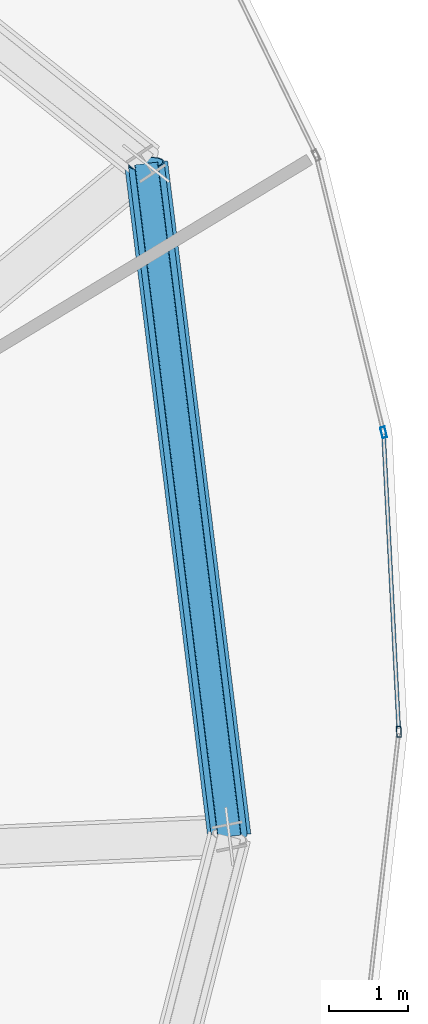
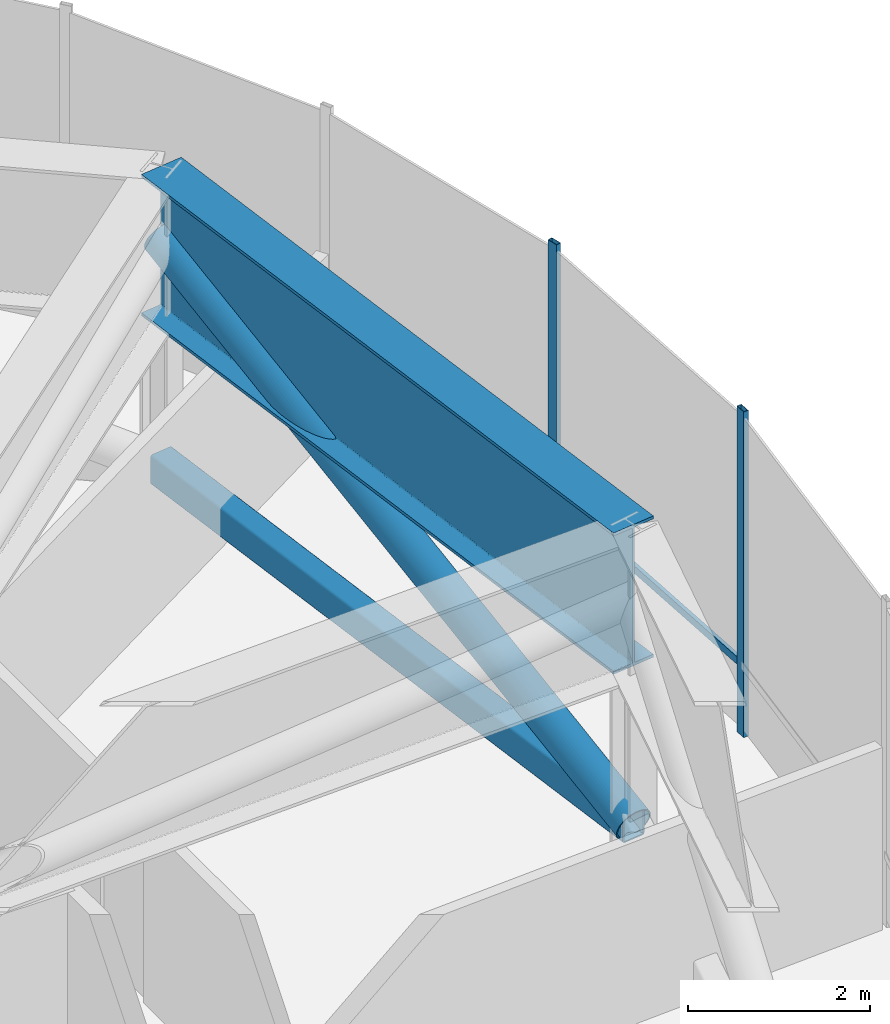
# One storey, part 14 of 26: 5 members, 1 beam, 1 element without a shape of its own.
"""IFC4 building model written with IfcOpenShell, lengths in metres."""

from ifc_helpers import new_model, si_unit, direction, frame, origin, origin_2d, place, context, subcontext, project, spatial, hollow_rectangle, hollow_circle, i_section, extrude, source, transform, mapped, material, layer, layer_set, material_profile, profile_set, type_object, element, aggregate, save


model = new_model("IFC4")

# Units and contexts
model_context = context("Model", 3, precision=1e-05, world=origin(), true_north=direction((0.0, 1.0)))
body_context = subcontext(model_context, "Body", "Model", "MODEL_VIEW")
ifc_project = project(units=[si_unit("LENGTHUNIT", "METRE"), si_unit("AREAUNIT", "SQUARE_METRE"), si_unit("VOLUMEUNIT", "CUBIC_METRE"), si_unit("PLANEANGLEUNIT", "RADIAN"), si_unit("MASSUNIT", "GRAM", prefix="KILO"), si_unit("THERMODYNAMICTEMPERATUREUNIT", "KELVIN")], contexts=[model_context])

# Site, building, storey
site_placement = place(None, origin())
site = spatial("IfcSite", under=ifc_project, at=site_placement, CompositionType="ELEMENT")
building_placement = place(site_placement, origin())
building = spatial("IfcBuilding", under=site, at=building_placement, Name="Kethvar Cultural Tower", CompositionType="ELEMENT")
storey_placement = place(building_placement, frame((0.0, 0.0, 223.60009765625)))
storey = spatial("IfcBuildingStorey", under=building, at=storey_placement, Name="L58", CompositionType="ELEMENT", Elevation=223.60009765625)

# Beam
ifc_material_1 = material(Name="Steel S460M", Category="steel")
ifc_material_profile_1 = material_profile(ifc_material_1, i_section(OverallWidth=0.550048828125, OverallDepth=1.89990234375, WebThickness=0.02490234375, FlangeThickness=0.0400390625, FilletRadius=0.02001953125, at=origin_2d()), Name="Steel S460M — PG1900x550x40x25")
ifc_profile_set_1 = profile_set([ifc_material_profile_1], Name="Steel S460M — PG1900x550x40x25")
beam_type = type_object("IfcBeamType", Name="BM-TR1900", PredefinedType="BEAM", material=ifc_profile_set_1)
shared_shape_1 = source(origin(), body_context, "Body", "SweptSolid", [
    extrude(i_section(OverallWidth=0.550048828125, OverallDepth=1.89990234375, WebThickness=0.02490234375, FlangeThickness=0.0400390625, FilletRadius=0.02001953125, at=origin_2d()), origin(), (0.0, 0.0, 1.0), 8.6318359375),
])
beam_placement = place(storey_placement, frame((66.56396484375, 31.731201171875, 3.427978515625), z_axis=(-0.122781430908, 0.992433735936, 0.0), x_axis=(-0.992433735936, -0.122781430908, 0.0)))
element("IfcBeam", 1, at=beam_placement, inside=storey, type_object=beam_type, Name="L58 Ring Belt Girder BG-01", PredefinedType="BEAM", context=body_context, shape_type="MappedRepresentation", body=[
    mapped(shared_shape_1, transform((0.0, 0.0, 0.0), scale=1.0)),
])

# Members
ifc_material_profile_2 = material_profile(ifc_material_1, hollow_rectangle(XDim=0.300048828125, YDim=0.39990234375, WallThickness=0.01611328125, InnerFilletRadius=0.01611328125, OuterFilletRadius=0.031982421875, at=origin_2d()), Name="Steel S460M — RHS400x300x16")
ifc_profile_set_2 = profile_set([ifc_material_profile_2], Name="Steel S460M — RHS400x300x16")
member_type_1 = type_object("IfcMemberType", Name="MB-CHD-400", PredefinedType="CHORD", material=ifc_profile_set_2)
shared_shape_2 = source(origin(), body_context, "Body", "SweptSolid", [
    extrude(hollow_rectangle(XDim=0.300048828125, YDim=0.39990234375, WallThickness=0.01611328125, InnerFilletRadius=0.01611328125, OuterFilletRadius=0.031982421875, at=origin_2d()), origin(), (0.0, 0.0, 1.0), 8.6318359375),
])
member_1_placement = place(storey_placement, frame((66.56396484375, 31.731201171875, 0.349853515625), z_axis=(-0.122781430908, 0.992433735936, 0.0), x_axis=(-0.992433735936, -0.122781430908, 0.0)))
element("IfcMember", 2, at=member_1_placement, inside=storey, type_object=member_type_1, Name="L58 Ring Belt Bottom Chord BC-01", PredefinedType="CHORD", context=body_context, shape_type="MappedRepresentation", body=[
    mapped(shared_shape_2, transform((0.0, 0.0, 0.0), scale=1.0)),
])
ifc_material_2 = material(Name="Steel S355J2", Category="steel")
ifc_material_profile_3 = material_profile(ifc_material_2, hollow_circle(Radius=0.228515625, WallThickness=0.01611328125, at=origin_2d()), Name="Steel S355J2 — CHS457x16")
ifc_profile_set_3 = profile_set([ifc_material_profile_3], Name="Steel S355J2 — CHS457x16")
member_type_2 = type_object("IfcMemberType", Name="MB-OUT-457", PredefinedType="BRACE", material=ifc_profile_set_3)
shared_shape_3 = source(origin(), body_context, "Body", "SweptSolid", [
    extrude(hollow_circle(Radius=0.228515625, WallThickness=0.01611328125, at=origin_2d()), origin(), (0.0, 0.0, 1.0), 9.1640625),
])
member_2_placement = place(storey_placement, frame((66.56396484375, 31.731201171875, 0.349853515625), z_axis=(-0.115648057966, 0.934775180356, 0.335888208901), x_axis=(-0.992433735936, -0.122781430908, 0.0)))
element("IfcMember", 3, at=member_2_placement, inside=storey, type_object=member_type_2, Name="L58 Ring Belt Diagonal BD-01", PredefinedType="BRACE", context=body_context, shape_type="MappedRepresentation", body=[
    mapped(shared_shape_3, transform((0.0, 0.0, 0.0), scale=1.0)),
])

# Curtain wall, members
ifc_material_3 = material(Name="Aluminium 6063-T6", Category="aluminium")
ifc_layer = layer(ifc_material_3, 0.179931640625, Name="Aluminium 6063-T6", Category="aluminium")
ifc_layer_set = layer_set([ifc_layer], Name="Aluminium 6063-T6 (180 mm)")
curtain_wall_type = type_object("IfcCurtainWallType", Name="CW-SYS-04-Z34", PredefinedType="NOTDEFINED", material=ifc_layer_set)
curtain_wall_placement = place(storey_placement, origin())
curtain_wall = element("IfcCurtainWall", 4, at=curtain_wall_placement, inside=storey, type_object=curtain_wall_type, Name="L58 Curtain Wall Run 06", PredefinedType="NOTDEFINED")
ifc_material_profile_4 = material_profile(ifc_material_3, hollow_rectangle(XDim=0.06005859375, YDim=0.139892578125, WallThickness=0.0048828125, at=origin_2d()), Name="Aluminium 6063-T6 — RHS140x60x5")
ifc_profile_set_4 = profile_set([ifc_material_profile_4], Name="Aluminium 6063-T6 — RHS140x60x5")
member_type_3 = type_object("IfcMemberType", Name="CW-SYS-04-Z34-MUL", PredefinedType="MULLION", material=ifc_profile_set_4)
shared_shape_4 = source(origin(), body_context, "Body", "SweptSolid", [
    extrude(hollow_rectangle(XDim=0.06005859375, YDim=0.139892578125, WallThickness=0.0048828125, at=origin_2d()), origin(), (0.0, 0.0, 1.0), 4.3798828125),
])
member_3_placement = place(storey_placement, frame((68.720703125, 33.065185546875, 0.0), z_axis=(0.0, 0.0, 1.0), x_axis=(-0.9986784167, -0.051394746975, 0.0)))
member_3 = element("IfcMember", 5, at=member_3_placement, type_object=member_type_3, Name="CW-L58-R06 Mullion 3", PredefinedType="MULLION", context=body_context, shape_type="MappedRepresentation", body=[
    mapped(shared_shape_4, transform((0.0, 0.0, 0.0), scale=1.0)),
])
member_4_placement = place(storey_placement, frame((68.526611328125, 36.875244140625, 0.0), z_axis=(0.0, 0.0, 1.0), x_axis=(-0.971474667157, -0.237143355531, 0.0)))
member_4 = element("IfcMember", 6, at=member_4_placement, type_object=member_type_3, Name="CW-L58-R06 Mullion 4", PredefinedType="MULLION", context=body_context, shape_type="MappedRepresentation", body=[
    mapped(shared_shape_4, transform((0.0, 0.0, 0.0), scale=1.0)),
])
ifc_material_profile_5 = material_profile(ifc_material_3, hollow_rectangle(XDim=0.050048828125, YDim=0.10009765625, WallThickness=0.00390625, at=origin_2d()), Name="Aluminium 6063-T6 — RHS100x50x4")
ifc_profile_set_5 = profile_set([ifc_material_profile_5], Name="Aluminium 6063-T6 — RHS100x50x4")
member_type_4 = type_object("IfcMemberType", Name="CW-SYS-04-Z34-TRN", PredefinedType="USERDEFINED", material=ifc_profile_set_5)
shared_shape_5 = source(origin(), body_context, "Body", "SweptSolid", [
    extrude(hollow_rectangle(XDim=0.050048828125, YDim=0.10009765625, WallThickness=0.00390625, at=origin_2d()), origin(), (0.0, 0.0, 1.0), 3.7490234375),
])
member_5_placement = place(storey_placement, frame((68.718505859375, 33.1083984375, 0.949951171875), z_axis=(-0.051379622119, 0.998679194952, 0.0), x_axis=(-0.998679194952, -0.051379622119, 0.0)))
member_5 = element("IfcMember", 7, at=member_5_placement, type_object=member_type_4, Name="CW-L58-R06 Transom 3", ObjectType="TRANSOM", PredefinedType="USERDEFINED", context=body_context, shape_type="MappedRepresentation", body=[
    mapped(shared_shape_5, transform((0.0, 0.0, 0.0), scale=1.0)),
])
aggregate(curtain_wall, [member_3, member_4, member_5])

save(model, "model.ifc")
